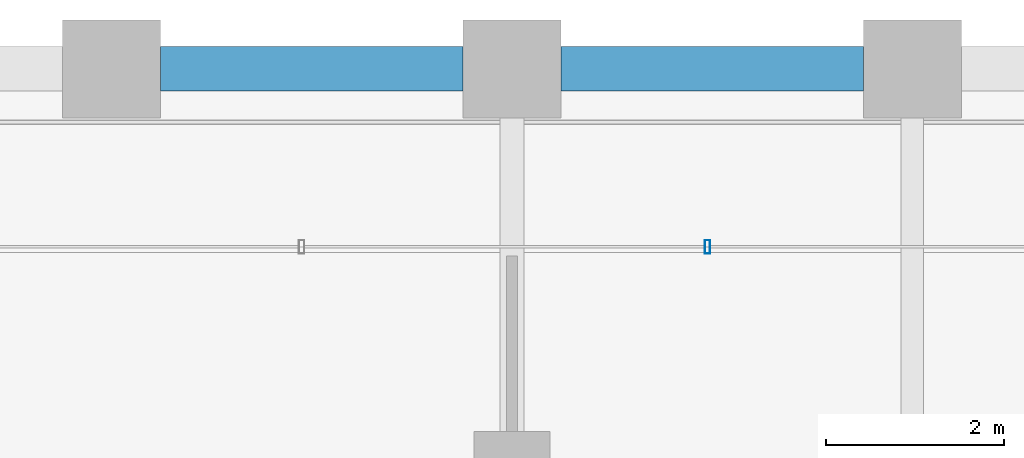
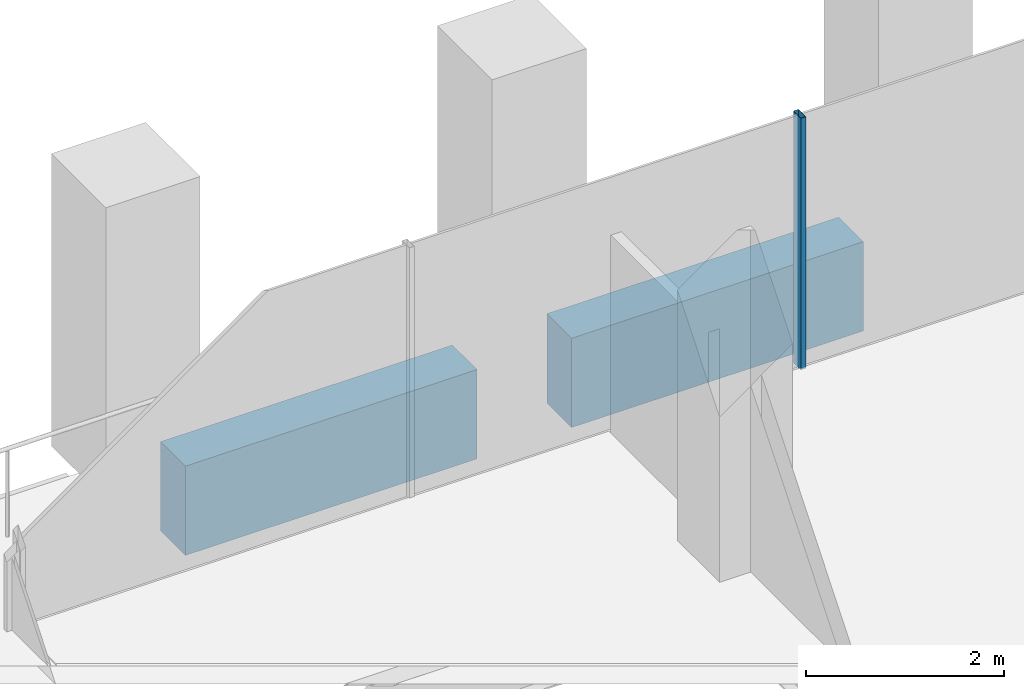
# One storey, part 27 of 56: 2 beams, 1 member, 1 element without a shape of its own.
"""IFC4 building model written with IfcOpenShell, lengths in metres."""

from ifc_helpers import new_model, si_unit, direction, frame, origin, origin_2d, place, context, subcontext, project, spatial, rectangle, hollow_rectangle, extrude, material, material_profile, profile_set, type_object, element, aggregate, save


model = new_model("IFC4")

# Units and contexts
model_context = context("Model", 3, precision=1e-05, world=origin(), true_north=direction((0.0, 1.0)))
body_context = subcontext(model_context, "Body", "Model", "MODEL_VIEW")
ifc_project = project(units=[si_unit("LENGTHUNIT", "METRE"), si_unit("AREAUNIT", "SQUARE_METRE"), si_unit("VOLUMEUNIT", "CUBIC_METRE"), si_unit("PLANEANGLEUNIT", "RADIAN"), si_unit("MASSUNIT", "GRAM", prefix="KILO")], contexts=[model_context])

# Site, building, storey
site_placement = place(None, origin())
site = spatial("IfcSite", under=ifc_project, at=site_placement, CompositionType="ELEMENT")
building_placement = place(site_placement, origin())
building = spatial("IfcBuilding", under=site, at=building_placement, Name="Altepetl Exchange Towers", CompositionType="ELEMENT")
storey_placement = place(building_placement, frame((0.0, 0.0, 83.39990234375)))
storey = spatial("IfcBuildingStorey", under=building, at=storey_placement, Name="L20", CompositionType="ELEMENT", Elevation=83.39990234375)

# Curtain wall, member
ifc_material_1 = material(Name="Aluminium 6063-T6 glazing", Category="aluminium")
curtain_wall_type = type_object("IfcCurtainWallType", Name="Loggia glazing system", PredefinedType="NOTDEFINED", material=ifc_material_1)
curtain_wall_placement = place(storey_placement, origin())
curtain_wall = element("IfcCurtainWall", 1, at=curtain_wall_placement, inside=storey, type_object=curtain_wall_type, Name="CW1 run", PredefinedType="NOTDEFINED")
ifc_material_2 = material(Name="Aluminium 6063-T6", Category="aluminium")
ifc_material_profile_1 = material_profile(ifc_material_2, hollow_rectangle(XDim=0.06005859375, YDim=0.14990234375, WallThickness=0.0029296875, at=origin_2d()), Name="Mullion 60x150 aluminium")
ifc_profile_set_1 = profile_set([ifc_material_profile_1], Name="Aluminium 6063-T6")
member_type = type_object("IfcMemberType", Name="Mullion 60x150 aluminium", PredefinedType="MULLION", material=ifc_profile_set_1)
member_placement = place(storey_placement, frame((42.696533203125, 70.0, 0.0), z_axis=(0.0, 0.0, 1.0), x_axis=(-1.0, 0.0, 0.0)))
member = element("IfcMember", 2, at=member_placement, type_object=member_type, Name="MU1 mullion", PredefinedType="MULLION", context=body_context, shape_type="SweptSolid", body=[
    extrude(hollow_rectangle(XDim=0.06005859375, YDim=0.14990234375, WallThickness=0.0029296875, at=origin_2d()), origin(), (0.0, 0.0, 1.0), 3.10009765625),
])
aggregate(curtain_wall, [member])

# Beams
ifc_material_3 = material(Name="Concrete C50/60 precast with cantera rosa facing", Category="concrete")
ifc_material_profile_2 = material_profile(ifc_material_3, rectangle(XDim=0.5, YDim=1.10009765625, at=origin_2d()), Name="500 x 1100")
ifc_profile_set_2 = profile_set([ifc_material_profile_2], Name="Concrete C50/60 precast with cantera rosa facing")
beam_type_1 = type_object("IfcBeamType", Name="Spandrel beam 500x1100 cantera rosa", PredefinedType="SPANDREL", material=ifc_profile_set_2)
beam_1_placement = place(storey_placement, frame((44.449951171875, 72.0, -0.699951171875), z_axis=(-1.0, 0.0, 0.0), x_axis=(0.0, -1.0, 0.0)))
element("IfcBeam", 3, at=beam_1_placement, inside=storey, type_object=beam_type_1, Name="sp:A:L20:029", PredefinedType="SPANDREL", context=body_context, shape_type="SweptSolid", body=[
    extrude(rectangle(XDim=0.5, YDim=1.10009765625, at=origin_2d()), origin(), (0.0, 0.0, 1.0), 3.39990234375),
])
ifc_material_4 = material(Name="Concrete C50/60 precast with tezontle facing", Category="concrete")
ifc_material_profile_3 = material_profile(ifc_material_4, rectangle(XDim=0.5, YDim=1.10009765625, at=origin_2d()), Name="500 x 1100")
ifc_profile_set_3 = profile_set([ifc_material_profile_3], Name="Concrete C50/60 precast with tezontle facing")
beam_type_2 = type_object("IfcBeamType", Name="Spandrel beam 500x1100 tezontle", PredefinedType="SPANDREL", material=ifc_profile_set_3)
beam_2_placement = place(storey_placement, frame((39.949951171875, 72.0, -0.699951171875), z_axis=(-1.0, 0.0, 0.0), x_axis=(0.0, -1.0, 0.0)))
element("IfcBeam", 4, at=beam_2_placement, inside=storey, type_object=beam_type_2, Name="sp:A:L20:030", PredefinedType="SPANDREL", context=body_context, shape_type="SweptSolid", body=[
    extrude(rectangle(XDim=0.5, YDim=1.10009765625, at=origin_2d()), origin(), (0.0, 0.0, 1.0), 3.39990234375),
])

save(model, "model.ifc")
